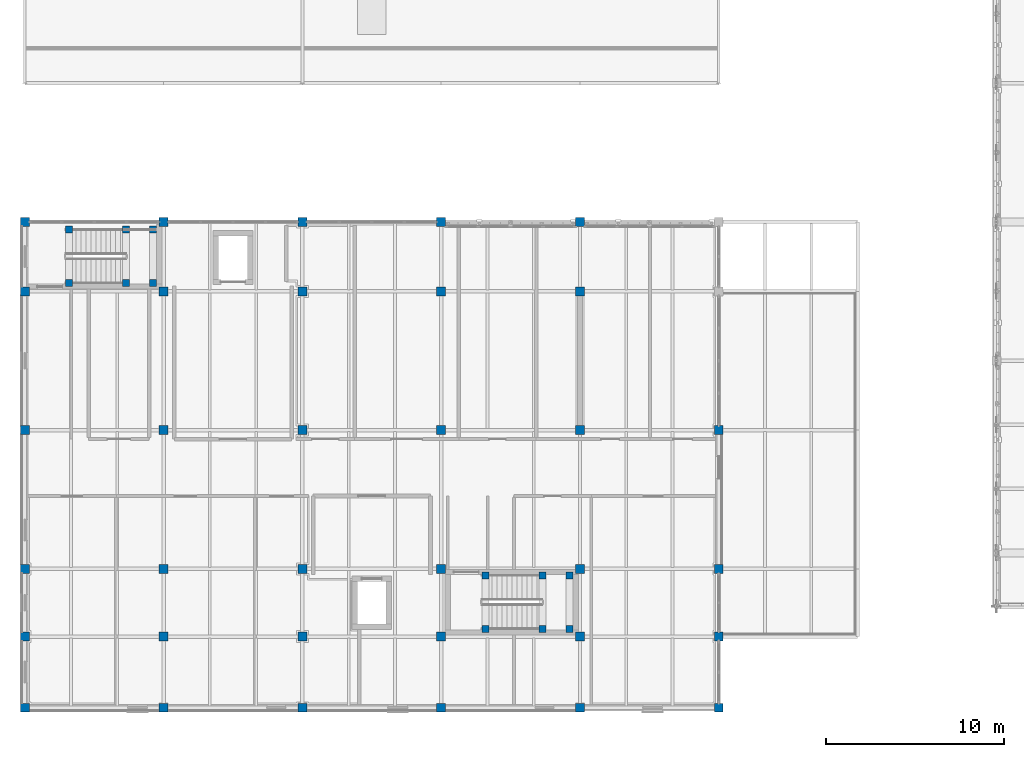
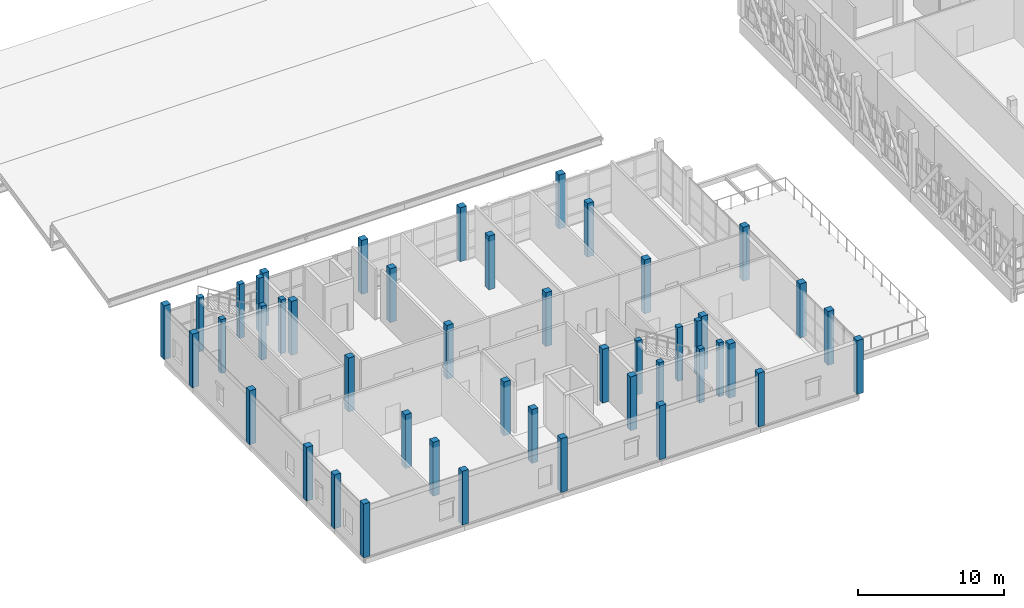
# One storey, part 1 of 89: 46 columns.
"""IFC4 building model written with IfcOpenShell, lengths in metres."""

from ifc_helpers import new_model, si_unit, direction, frame, origin, origin_2d, place, context, subcontext, project, spatial, rectangle, extrude, material, material_profile, profile_set, type_object, element, save


model = new_model("IFC4")

# Units and contexts
model_context = context("Model", 3, precision=1e-05, world=origin(), true_north=direction((0.0, 1.0)))
body_context = subcontext(model_context, "Body", "Model", "MODEL_VIEW")
ifc_project = project(units=[si_unit("LENGTHUNIT", "METRE"), si_unit("AREAUNIT", "SQUARE_METRE"), si_unit("VOLUMEUNIT", "CUBIC_METRE"), si_unit("PLANEANGLEUNIT", "RADIAN"), si_unit("MASSUNIT", "GRAM", prefix="KILO")], contexts=[model_context])

# Site, building, storey
site_placement = place(None, origin())
site = spatial("IfcSite", under=ifc_project, at=site_placement, CompositionType="ELEMENT")
building_placement = place(site_placement, origin())
building = spatial("IfcBuilding", under=site, at=building_placement, Name="Celorna Specialist Clinic", CompositionType="ELEMENT")
storey_placement = place(building_placement, frame((0.0, 0.0, 14.10009765625)))
storey = spatial("IfcBuildingStorey", under=building, at=storey_placement, Name="L03", CompositionType="ELEMENT", Elevation=14.10009765625)

# Columns
ifc_material = material(Name="Concrete C35/45", Category="concrete")
ifc_material_profile_1 = material_profile(ifc_material, rectangle(XDim=0.5, YDim=0.5, at=origin_2d()), Name="RC 500x500")
ifc_profile_set_1 = profile_set([ifc_material_profile_1], Name="Concrete C35/45")
column_type_1 = type_object("IfcColumnType", Name="CT-06", PredefinedType="COLUMN", material=ifc_profile_set_1)
for number, where, z_axis, x_axis, name in (
    (1, (0.0, 0.0, 0.0), (0.0, 0.0, 1.0), (1.0, 0.0, 0.0), "Column CT-06 L03 X01/YA"),
    (2, (0.0, 4.0, 0.0), (0.0, 0.0, 1.0), (1.0, 0.0, 0.0), "Column CT-06 L03 X01/YA1"),
    (3, (0.0, 7.800048828125, 0.0), (0.0, 0.0, 1.0), (1.0, 0.0, 0.0), "Column CT-06 L03 X01/YC"),
    (4, (0.0, 15.60009765625, 0.0), (0.0, 0.0, 1.0), (1.0, 0.0, 0.0), "Column CT-06 L03 X01/YD"),
    (5, (0.0, 23.39990234375, 0.0), (0.0, 0.0, 1.0), (1.0, 0.0, 0.0), "Column CT-06 L03 X01/YE"),
    (6, (0.0, 27.300048828125, 0.0), (0.0, 0.0, 1.0), (1.0, 0.0, 0.0), "Column CT-06 L03 X01/YF"),
    (7, (7.800048828125, 0.0, 0.0), (0.0, 0.0, 1.0), (1.0, 0.0, 0.0), "Column CT-06 L03 X02/YA"),
    (8, (7.800048828125, 4.0, 0.0), (0.0, 0.0, 1.0), (1.0, 0.0, 0.0), "Column CT-06 L03 X02/YA1"),
    (9, (7.800048828125, 7.800048828125, 0.0), (0.0, 0.0, 1.0), (1.0, 0.0, 0.0), "Column CT-06 L03 X02/YC"),
    (10, (7.800048828125, 15.60009765625, 0.0), (0.0, 0.0, 1.0), (1.0, 0.0, 0.0), "Column CT-06 L03 X02/YD"),
    (11, (7.800048828125, 23.39990234375, 0.0), (0.0, 0.0, 1.0), (1.0, 0.0, 0.0), "Column CT-06 L03 X02/YE"),
    (12, (7.800048828125, 27.300048828125, 0.0), (0.0, 0.0, 1.0), (1.0, 0.0, 0.0), "Column CT-06 L03 X02/YF"),
    (13, (15.60009765625, 0.0, 0.0), (0.0, 0.0, 1.0), (1.0, 0.0, 0.0), "Column CT-06 L03 X03/YA"),
    (14, (15.60009765625, 4.0, 0.0), (0.0, 0.0, 1.0), (1.0, 0.0, 0.0), "Column CT-06 L03 X03/YA1"),
    (15, (15.60009765625, 7.800048828125, 0.0), (0.0, 0.0, 1.0), (1.0, 0.0, 0.0), "Column CT-06 L03 X03/YC"),
    (16, (15.60009765625, 15.60009765625, 0.0), (0.0, 0.0, 1.0), (1.0, 0.0, 0.0), "Column CT-06 L03 X03/YD"),
    (17, (15.60009765625, 23.39990234375, 0.0), (0.0, 0.0, 1.0), (1.0, 0.0, 0.0), "Column CT-06 L03 X03/YE"),
    (18, (15.60009765625, 27.300048828125, 0.0), (0.0, 0.0, 1.0), (1.0, 0.0, 0.0), "Column CT-06 L03 X03/YF"),
    (19, (23.39990234375, 0.0, 0.0), (0.0, 0.0, 1.0), (1.0, 0.0, 0.0), "Column CT-06 L03 X04/YA"),
    (20, (23.39990234375, 4.0, 0.0), (0.0, 0.0, 1.0), (1.0, 0.0, 0.0), "Column CT-06 L03 X04/YA1"),
    (21, (23.39990234375, 7.800048828125, 0.0), (0.0, 0.0, 1.0), (1.0, 0.0, 0.0), "Column CT-06 L03 X04/YC"),
    (22, (23.39990234375, 15.60009765625, 0.0), (0.0, 0.0, 1.0), (1.0, 0.0, 0.0), "Column CT-06 L03 X04/YD"),
    (23, (23.39990234375, 23.39990234375, 0.0), (0.0, 0.0, 1.0), (1.0, 0.0, 0.0), "Column CT-06 L03 X04/YE"),
    (24, (23.39990234375, 27.300048828125, 0.0), (0.0, 0.0, 1.0), (1.0, 0.0, 0.0), "Column CT-06 L03 X04/YF"),
    (25, (31.199951171875, 0.0, 0.0), (0.0, 0.0, 1.0), (1.0, 0.0, 0.0), "Column CT-06 L03 X05/YA"),
    (26, (31.199951171875, 4.0, 0.0), (0.0, 0.0, 1.0), (1.0, 0.0, 0.0), "Column CT-06 L03 X05/YA1"),
    (27, (31.199951171875, 7.800048828125, 0.0), (0.0, 0.0, 1.0), (1.0, 0.0, 0.0), "Column CT-06 L03 X05/YC"),
    (28, (31.199951171875, 15.60009765625, 0.0), (0.0, 0.0, 1.0), (1.0, 0.0, 0.0), "Column CT-06 L03 X05/YD"),
    (29, (31.199951171875, 23.39990234375, 0.0), (0.0, 0.0, 1.0), (1.0, 0.0, 0.0), "Column CT-06 L03 X05/YE"),
    (30, (31.199951171875, 27.300048828125, 0.0), (0.0, 0.0, 1.0), (1.0, 0.0, 0.0), "Column CT-06 L03 X05/YF"),
    (31, (39.0, 0.0, 0.0), (0.0, 0.0, 1.0), (1.0, 0.0, 0.0), "Column CT-06 L03 X06/YA"),
    (32, (39.0, 4.0, 0.0), (0.0, 0.0, 1.0), (1.0, 0.0, 0.0), "Column CT-06 L03 X06/YA1"),
    (33, (39.0, 7.800048828125, 0.0), (0.0, 0.0, 1.0), (1.0, 0.0, 0.0), "Column CT-06 L03 X06/YC"),
    (34, (39.0, 15.60009765625, 0.0), (0.0, 0.0, 1.0), (1.0, 0.0, 0.0), "Column CT-06 L03 X06/YD"),
):
    element("IfcColumn", number, at=place(storey_placement, frame(where, z_axis=z_axis, x_axis=x_axis)), inside=storey, type_object=column_type_1, Name=name, PredefinedType="COLUMN", context=body_context, shape_type="SweptSolid", body=[
        extrude(rectangle(XDim=0.5, YDim=0.5, at=origin_2d()), origin(), (0.0, 0.0, 1.0), 4.5),
    ])
ifc_material_profile_2 = material_profile(ifc_material, rectangle(XDim=0.39990234375, YDim=0.39990234375, at=origin_2d()), Name="RC 400x400")
ifc_profile_set_2 = profile_set([ifc_material_profile_2], Name="Concrete C35/45")
column_type_2 = type_object("IfcColumnType", Name="CT-08", PredefinedType="COLUMN", material=ifc_profile_set_2)
for number, where, z_axis, x_axis, name in (
    (35, (2.489990234375, 23.8701171875, 0.0), (0.0, 0.0, 1.0), (1.0, 0.0, 0.0), "Stair ST-04 landing column CT-08 L03 X01/YF"),
    (36, (2.489990234375, 26.8701171875, 0.0), (0.0, 0.0, 1.0), (1.0, 0.0, 0.0), "Stair ST-04 landing column CT-08 L03 X01/YF"),
    (37, (5.68994140625, 23.8701171875, 0.0), (0.0, 0.0, 1.0), (1.0, 0.0, 0.0), "Stair ST-04 landing column CT-08 L03 X02/YF"),
    (38, (5.68994140625, 26.8701171875, 0.0), (0.0, 0.0, 1.0), (1.0, 0.0, 0.0), "Stair ST-04 landing column CT-08 L03 X02/YF"),
    (39, (7.2099609375, 23.8701171875, 0.0), (0.0, 0.0, 1.0), (1.0, 0.0, 0.0), "Stair ST-04 landing column CT-08 L03 X02/YF"),
    (40, (7.2099609375, 26.8701171875, 0.0), (0.0, 0.0, 1.0), (1.0, 0.0, 0.0), "Stair ST-04 landing column CT-08 L03 X02/YF"),
    (41, (25.889892578125, 4.429931640625, 0.0), (0.0, 0.0, 1.0), (1.0, 0.0, 0.0), "Stair ST-05 landing column CT-08 L03 X04/YA1"),
    (42, (25.889892578125, 7.429931640625, 0.0), (0.0, 0.0, 1.0), (1.0, 0.0, 0.0), "Stair ST-05 landing column CT-08 L03 X04/YC"),
    (43, (29.090087890625, 4.429931640625, 0.0), (0.0, 0.0, 1.0), (1.0, 0.0, 0.0), "Stair ST-05 landing column CT-08 L03 X05/YA1"),
    (44, (29.090087890625, 7.429931640625, 0.0), (0.0, 0.0, 1.0), (1.0, 0.0, 0.0), "Stair ST-05 landing column CT-08 L03 X05/YC"),
    (45, (30.610107421875, 4.429931640625, 0.0), (0.0, 0.0, 1.0), (1.0, 0.0, 0.0), "Stair ST-05 landing column CT-08 L03 X05/YA1"),
    (46, (30.610107421875, 7.429931640625, 0.0), (0.0, 0.0, 1.0), (1.0, 0.0, 0.0), "Stair ST-05 landing column CT-08 L03 X05/YC"),
):
    element("IfcColumn", number, at=place(storey_placement, frame(where, z_axis=z_axis, x_axis=x_axis)), inside=storey, type_object=column_type_2, Name=name, PredefinedType="COLUMN", context=body_context, shape_type="SweptSolid", body=[
        extrude(rectangle(XDim=0.39990234375, YDim=0.39990234375, at=origin_2d()), origin(), (0.0, 0.0, 1.0), 4.5),
    ])

save(model, "model.ifc")
